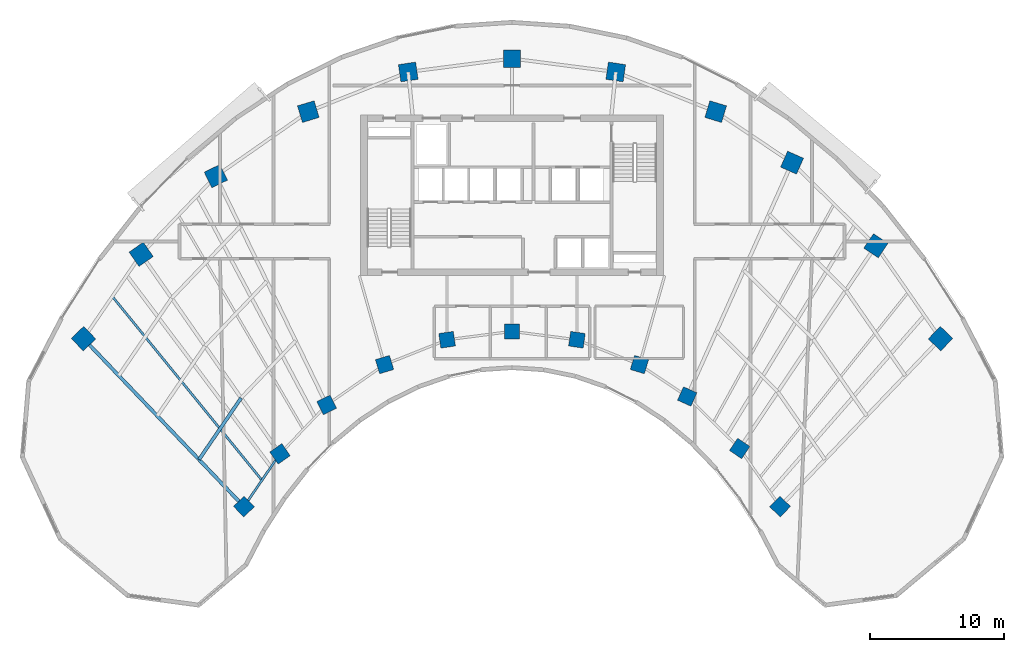
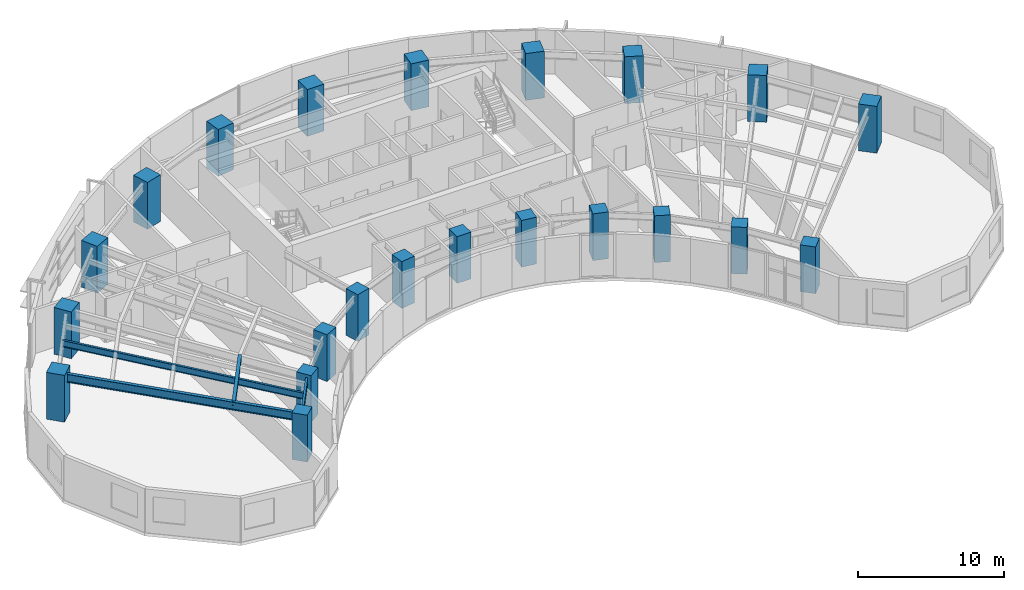
# One storey, part 1 of 14: 22 columns, 4 beams.
"""IFC4 building model written with IfcOpenShell, lengths in metres."""

from ifc_helpers import new_model, si_unit, direction, frame, origin, origin_2d, place, context, subcontext, project, spatial, rectangle, hollow_rectangle, i_section, extrude, source, transform, mapped, material, material_profile, profile_set, type_object, type_shapes, element, save


model = new_model("IFC4")

# Units and contexts
model_context = context("Model", 3, precision=1e-05, world=origin(), true_north=direction((0.0, 1.0)))
body_context = subcontext(model_context, "Body", "Model", "MODEL_VIEW")
ifc_project = project(units=[si_unit("LENGTHUNIT", "METRE"), si_unit("AREAUNIT", "SQUARE_METRE"), si_unit("VOLUMEUNIT", "CUBIC_METRE"), si_unit("PLANEANGLEUNIT", "RADIAN"), si_unit("MASSUNIT", "GRAM", prefix="KILO")], contexts=[model_context])

# Site, building, storey
site_placement = place(None, origin())
site = spatial("IfcSite", under=ifc_project, at=site_placement, CompositionType="ELEMENT")
building_placement = place(site_placement, origin())
building = spatial("IfcBuilding", under=site, at=building_placement, Name="Breltana Convention Tower", CompositionType="ELEMENT")
storey_placement = place(building_placement, frame((0.0, 0.0, 131.10009765625)))
storey = spatial("IfcBuildingStorey", under=building, at=storey_placement, Name="L31", CompositionType="ELEMENT", Elevation=131.10009765625)

# Columns
ifc_material_1 = material(Name="Concrete C60/75", Category="concrete")
ifc_material_profile_1 = material_profile(ifc_material_1, rectangle(XDim=1.10009765625, YDim=1.10009765625, at=origin_2d()), Name="RC-COL-1100X1100")
ifc_profile_set_1 = profile_set([ifc_material_profile_1], Name="Concrete C60/75")
column_type_1 = type_object("IfcColumnType", Name="COL-RC-1100", PredefinedType="COLUMN", material=ifc_profile_set_1)
shared_shape_1 = source(origin(), body_context, "Body", "SweptSolid", [
    extrude(rectangle(XDim=1.10009765625, YDim=1.10009765625, at=origin_2d()), origin(), (0.0, 0.0, 1.0), 3.89990234375),
])
for number, where, z_axis, x_axis, name in (
    (1, (27.984619140625, 42.95458984375, 0.0), (0.0, 0.0, 1.0), (-0.690756218984, 0.723087716626, 0.0), "L31 Tower Column R01-IN"),
    (2, (30.67724609375, 46.892333984375, 0.0), (0.0, 0.0, 1.0), (-0.571143442153, 0.820850271661, 0.0), "L31 Tower Column R02-IN"),
    (3, (34.166259765625, 50.544921875, 0.0), (0.0, 0.0, 1.0), (-0.436173672171, 0.899862504889, 0.0), "L31 Tower Column R03-IN"),
    (4, (38.485107421875, 53.5576171875, 0.0), (0.0, 0.0, 1.0), (-0.288697611798, 0.957420330337, 0.0), "L31 Tower Column R04-IN"),
    (5, (43.153564453125, 55.41064453125, 0.0), (0.0, 0.0, 1.0), (-0.143492621991, 0.98965138682, 0.0), "L31 Tower Column R05-IN"),
    (6, (48.0, 56.035888671875, 0.0), (0.0, 0.0, 1.0), (0.0, 1.0, 0.0), "L31 Tower Column R06-IN"),
    (7, (52.846435546875, 55.41064453125, 0.0), (0.0, 0.0, 1.0), (0.143492621991, 0.98965138682, 0.0), "L31 Tower Column R07-IN"),
    (8, (57.514892578125, 53.5576171875, 0.0), (0.0, 0.0, 1.0), (0.288697611798, 0.957420330337, 0.0), "L31 Tower Column R08-IN"),
    (9, (61.08203125, 51.174560546875, 0.0), (0.0, 0.0, 1.0), (0.409126902895, 0.912477494148, 0.0), "L31 Tower Column R09-IN"),
    (10, (64.995849609375, 47.293701171875, 0.0), (0.0, 0.0, 1.0), (0.55774510898, 0.830012285095, 0.0), "L31 Tower Column R10-IN"),
    (11, (68.015380859375, 42.95458984375, 0.0), (0.0, 0.0, 1.0), (0.690756218984, 0.723087716626, 0.0), "L31 Tower Column R11-IN"),
):
    element("IfcColumn", number, at=place(storey_placement, frame(where, z_axis=z_axis, x_axis=x_axis)), inside=storey, type_object=column_type_1, Name=name, PredefinedType="COLUMN", context=body_context, shape_type="MappedRepresentation", body=[
        mapped(shared_shape_1, transform((0.0, 0.0, 0.0), scale=1.0)),
    ])
ifc_material_profile_2 = material_profile(ifc_material_1, rectangle(XDim=1.300048828125, YDim=1.300048828125, at=origin_2d()), Name="RC-COL-1300X1300")
ifc_profile_set_2 = profile_set([ifc_material_profile_2], Name="Concrete C60/75")
column_type_2 = type_object("IfcColumnType", Name="COL-RC-1300", PredefinedType="COLUMN", material=ifc_profile_set_2)
shared_shape_2 = source(origin(), body_context, "Body", "SweptSolid", [
    extrude(rectangle(XDim=1.300048828125, YDim=1.300048828125, at=origin_2d()), origin(), (0.0, 0.0, 1.0), 3.89990234375),
])
for number, where, z_axis, x_axis, name in (
    (12, (16.0068359375, 55.494384765625, 0.0), (0.0, 0.0, 1.0), (-0.690756218984, 0.723087716626, 0.0), "L31 Tower Column R01-OUT"),
    (13, (20.310791015625, 61.78857421875, 0.0), (0.0, 0.0, 1.0), (-0.571143442153, 0.820850271661, 0.0), "L31 Tower Column R02-OUT"),
    (14, (25.8876953125, 67.626953125, 0.0), (0.0, 0.0, 1.0), (-0.436173672171, 0.899862504889, 0.0), "L31 Tower Column R03-OUT"),
    (15, (32.791015625, 72.4423828125, 0.0), (0.0, 0.0, 1.0), (-0.288697611798, 0.957420330337, 0.0), "L31 Tower Column R04-OUT"),
    (16, (40.253173828125, 75.404296875, 0.0), (0.0, 0.0, 1.0), (-0.143492621991, 0.98965138682, 0.0), "L31 Tower Column R05-OUT"),
    (17, (48.0, 76.404052734375, 0.0), (0.0, 0.0, 1.0), (0.0, 1.0, 0.0), "L31 Tower Column R06-OUT"),
    (18, (55.746826171875, 75.404296875, 0.0), (0.0, 0.0, 1.0), (0.143492621991, 0.98965138682, 0.0), "L31 Tower Column R07-OUT"),
    (19, (63.208984375, 72.4423828125, 0.0), (0.0, 0.0, 1.0), (0.288697611798, 0.957420330337, 0.0), "L31 Tower Column R08-OUT"),
    (20, (68.910400390625, 68.63330078125, 0.0), (0.0, 0.0, 1.0), (0.409126902895, 0.912477494148, 0.0), "L31 Tower Column R09-OUT"),
    (21, (75.166748046875, 62.43017578125, 0.0), (0.0, 0.0, 1.0), (0.55774510898, 0.830012285095, 0.0), "L31 Tower Column R10-OUT"),
    (22, (79.9931640625, 55.494384765625, 0.0), (0.0, 0.0, 1.0), (0.690756218984, 0.723087716626, 0.0), "L31 Tower Column R11-OUT"),
):
    element("IfcColumn", number, at=place(storey_placement, frame(where, z_axis=z_axis, x_axis=x_axis)), inside=storey, type_object=column_type_2, Name=name, PredefinedType="COLUMN", context=body_context, shape_type="MappedRepresentation", body=[
        mapped(shared_shape_2, transform((0.0, 0.0, 0.0), scale=1.0)),
    ])

# Beams
ifc_material_2 = material(Name="Steel ASTM A992 Grade 50", Category="steel")
ifc_material_profile_3 = material_profile(ifc_material_2, i_section(OverallWidth=0.25390625, OverallDepth=0.68798828125, WebThickness=0.01318359375, FlangeThickness=0.02099609375, at=origin_2d()), Name="W27X102")
ifc_profile_set_3 = profile_set([ifc_material_profile_3], Name="Steel ASTM A992 Grade 50")
beam_type_1 = type_object("IfcBeamType", Name="BM-RG-W27X102", PredefinedType="USERDEFINED", material=ifc_profile_set_3)
shared_shape_3 = source(origin(), body_context, "Body", "SweptSolid", [
    extrude(i_section(OverallWidth=0.25390625, OverallDepth=0.68798828125, WebThickness=0.01318359375, FlangeThickness=0.02099609375, at=origin_2d()), origin(), (0.0, 0.0, 1.0), 17.341064453125),
])
type_shapes(beam_type_1, [shared_shape_3])
beam_1_placement = place(storey_placement, frame((27.984619140625, 42.95458984375, 3.305908203125), z_axis=(-0.690716462293, 0.723125693581, 0.0), x_axis=(-0.723125693581, -0.690716462293, 0.0)))
element("IfcBeam", 23, at=beam_1_placement, inside=storey, type_object=beam_type_1, Name="L31 Radial Floor Girder R01", ObjectType="GIRDER", PredefinedType="USERDEFINED", context=body_context, shape_type="MappedRepresentation", body=[
    mapped(shared_shape_3, transform((0.0, 0.0, 0.0), scale=1.0)),
])
ifc_material_profile_4 = material_profile(ifc_material_2, i_section(OverallWidth=0.166015625, OverallDepth=0.534912109375, WebThickness=0.01025390625, FlangeThickness=0.0166015625, at=origin_2d()), Name="W21X57")
ifc_profile_set_4 = profile_set([ifc_material_profile_4], Name="Steel ASTM A992 Grade 50")
beam_type_2 = type_object("IfcBeamType", Name="BM-BM-W21X57", PredefinedType="BEAM", material=ifc_profile_set_4)
shared_shape_4 = source(origin(), body_context, "Body", "SweptSolid", [
    extrude(i_section(OverallWidth=0.166015625, OverallDepth=0.534912109375, WebThickness=0.01025390625, FlangeThickness=0.0166015625, at=origin_2d()), origin(), (0.0, 0.0, 1.0), 4.770263671875),
])
beam_2_placement = place(storey_placement, frame((27.984619140625, 42.95458984375, 3.38232421875), z_axis=(0.564452719055, 0.82546540082, 0.0), x_axis=(-0.82546540082, 0.564452719055, 0.0)))
element("IfcBeam", 24, at=beam_2_placement, inside=storey, type_object=beam_type_2, Name="L31 Inner Ring Beam 01", PredefinedType="BEAM", context=body_context, shape_type="MappedRepresentation", body=[
    mapped(shared_shape_4, transform((0.0, 0.0, 0.0), scale=1.0)),
])
ifc_material_profile_5 = material_profile(ifc_material_2, hollow_rectangle(XDim=0.25, YDim=0.35009765625, WallThickness=0.011962890625, at=origin_2d()), Name="RHS350X250X12")
ifc_profile_set_5 = profile_set([ifc_material_profile_5], Name="Steel ASTM A992 Grade 50")
beam_type_3 = type_object("IfcBeamType", Name="BM-JSG-12", PredefinedType="JOIST", material=ifc_profile_set_5)
shared_shape_5 = source(origin(), body_context, "Body", "SweptSolid", [
    extrude(hollow_rectangle(XDim=0.25, YDim=0.35009765625, WallThickness=0.011962890625, at=origin_2d()), origin(), (0.0, 0.0, 1.0), 5.569580078125),
])
beam_3_placement = place(storey_placement, frame((24.630615234375, 46.4658203125, 3.474853515625), z_axis=(0.564493760458, 0.825437335237, 0.0), x_axis=(-0.825437335237, 0.564493760458, 0.0)))
element("IfcBeam", 25, at=beam_3_placement, inside=storey, type_object=beam_type_3, Name="L31 Composite Floor Joist 01.1", PredefinedType="JOIST", context=body_context, shape_type="MappedRepresentation", body=[
    mapped(shared_shape_5, transform((0.0, 0.0, 0.0), scale=1.0)),
])
ifc_material_profile_6 = material_profile(ifc_material_2, i_section(OverallWidth=0.166015625, OverallDepth=0.534912109375, WebThickness=0.01025390625, FlangeThickness=0.0166015625, at=origin_2d()), Name="W21X57")
ifc_profile_set_6 = profile_set([ifc_material_profile_6], Name="Steel ASTM A992 Grade 50")
beam_type_4 = type_object("IfcBeamType", Name="BM-JSG-05", PredefinedType="JOIST", material=ifc_profile_set_6)
shared_shape_6 = source(origin(), body_context, "Body", "SweptSolid", [
    extrude(i_section(OverallWidth=0.166015625, OverallDepth=0.534912109375, WebThickness=0.01025390625, FlangeThickness=0.0166015625, at=origin_2d()), origin(), (0.0, 0.0, 1.0), 17.691650390625),
])
beam_4_placement = place(storey_placement, frame((29.330810546875, 44.923583984375, 3.38232421875), z_axis=(-0.631476958478, 0.775394642044, 0.0), x_axis=(-0.775394642044, -0.631476958478, 0.0)))
element("IfcBeam", 26, at=beam_4_placement, inside=storey, type_object=beam_type_4, Name="L31 Mid-Bay Radial Trimmer 01", PredefinedType="JOIST", context=body_context, shape_type="MappedRepresentation", body=[
    mapped(shared_shape_6, transform((0.0, 0.0, 0.0), scale=1.0)),
])

save(model, "model.ifc")
